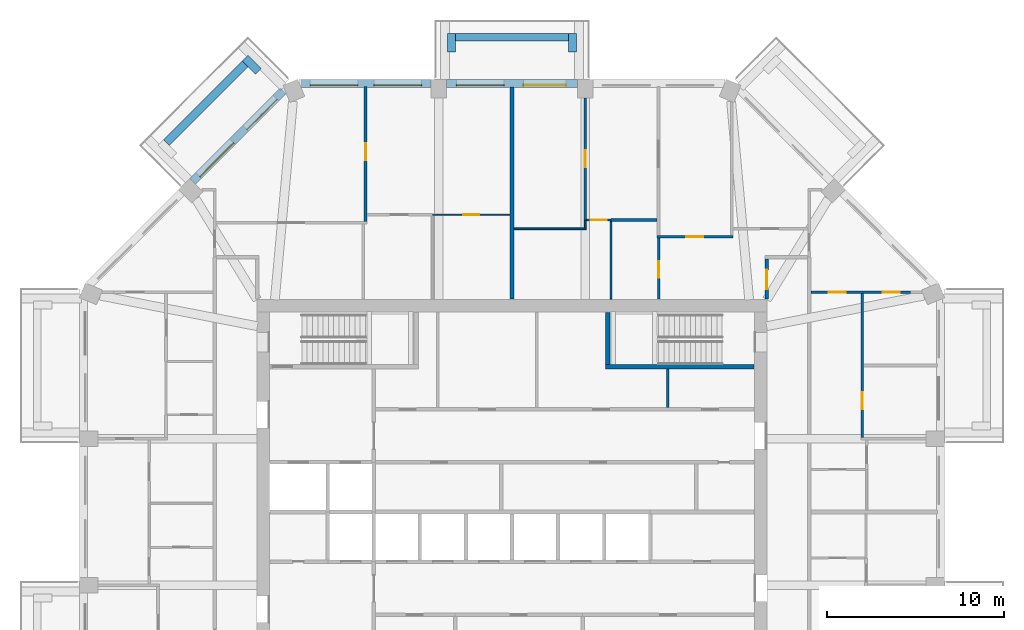
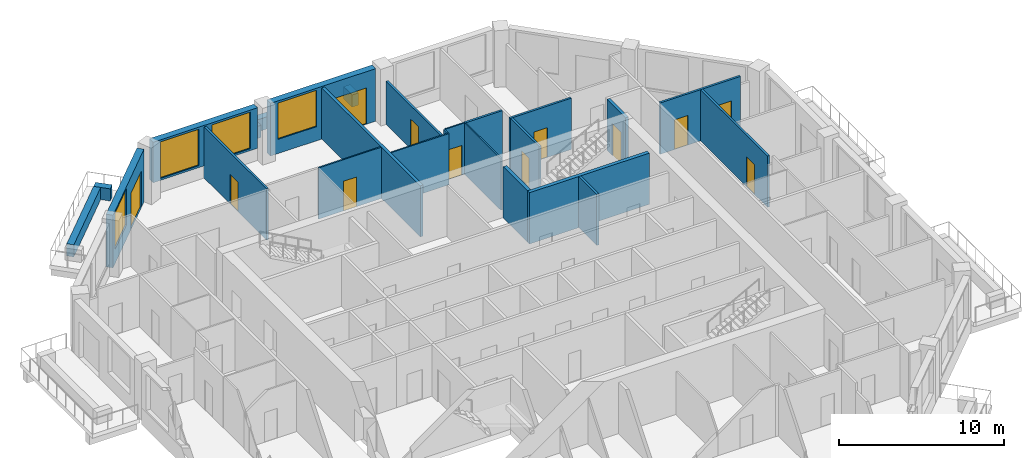
# One storey, part 8 of 12: 25 walls, 12 doors, 4 windows, 16 openings.
"""IFC4 building model written with IfcOpenShell, lengths in metres."""

import ifcopenshell
import ifcopenshell.guid

model = None  # the IFC model being written
_history = None  # IfcOwnerHistory: only IFC2X3 demands one
_inside = {}  # id of a spatial element -> (the spatial element, [elements in it])
_under = {}  # id of a project, library or spatial element -> (it, [spatial elements below it])
_declared = {}  # id of a project -> (the project, [libraries it declares])
_typed = {}  # id of a type object -> (the type object, [elements of that type])
_made_of = {}  # id of a material, layer set ... -> (it, [elements and type objects made of it])


def new_model(schema):
    """Start an empty IFC model of exactly this schema.

    Asked for "IFC4X3", IfcOpenShell would pick the latest addendum, in which some entities
    have other attributes; the version numbers below select the first issue.
    IFC2X3 requires an IfcOwnerHistory on every rooted entity: one is made here for all.
    """
    global model, _history
    if schema == "IFC4X3":
        model = ifcopenshell.file(schema_version=(4, 3, 0, 0))
    else:
        model = ifcopenshell.file(schema=schema)
    _inside.clear()
    _under.clear()
    _declared.clear()
    _typed.clear()
    _made_of.clear()
    _history = None
    if model.schema == "IFC2X3":
        org = make("IfcOrganization", Name="unknown")
        user = make(
            "IfcPersonAndOrganization",
            ThePerson=make("IfcPerson", FamilyName="unknown"),
            TheOrganization=org,
        )
        app = make(
            "IfcApplication",
            ApplicationDeveloper=org,
            Version="unknown",
            ApplicationFullName="unknown",
            ApplicationIdentifier="unknown",
        )
        _history = make(
            "IfcOwnerHistory",
            OwningUser=user,
            OwningApplication=app,
            ChangeAction="ADDED",
            CreationDate=0,
        )
    return model


def make(cls, **values):
    """One entity of the class cls with the attributes given. An attribute that is None is left unset."""
    return model.create_entity(
        cls, **{name: value for name, value in values.items() if value is not None}
    )


def rooted(cls, **values):
    """An entity with a GlobalId (a new one), such as an element, a storey or a relation."""
    return make(cls, GlobalId=ifcopenshell.guid.new(), OwnerHistory=_history, **values)


def si_unit(unit_type, name, prefix=None):
    """IfcSIUnit, for example si_unit("LENGTHUNIT", "METRE", prefix="MILLI")."""
    return make("IfcSIUnit", UnitType=unit_type, Prefix=prefix, Name=name)


def assignment(units):
    """IfcUnitAssignment: the units of a project."""
    return None if units is None else make("IfcUnitAssignment", Units=units)


def point(xyz):
    """IfcCartesianPoint."""
    return None if xyz is None else make("IfcCartesianPoint", Coordinates=xyz)


def direction(xyz):
    """IfcDirection."""
    return None if xyz is None else make("IfcDirection", DirectionRatios=xyz)


def frame(location, z_axis=None, x_axis=None):
    """IfcAxis2Placement3D, a coordinate frame: its origin and axes. An axis left out is left unset."""
    return make(
        "IfcAxis2Placement3D",
        Location=point(location),
        Axis=direction(z_axis),
        RefDirection=direction(x_axis),
    )


def frame_2d(location, x_axis=None):
    """IfcAxis2Placement2D, a coordinate frame in the plane: its origin and x axis."""
    return make(
        "IfcAxis2Placement2D", Location=point(location), RefDirection=direction(x_axis)
    )


def origin():
    """The frame at (0, 0, 0) with its axes left unset."""
    return frame((0.0, 0.0, 0.0))


def place(relative_to, where):
    """IfcLocalPlacement: puts the frame where relative to a parent placement (None: the world)."""
    return make(
        "IfcLocalPlacement", PlacementRelTo=relative_to, RelativePlacement=where
    )


def context(
    kind, dimensions, precision=None, world=None, true_north=None, identifier=None
):
    """IfcGeometricRepresentationContext, for example the 3D "Model" context."""
    return make(
        "IfcGeometricRepresentationContext",
        ContextIdentifier=identifier,
        ContextType=kind,
        CoordinateSpaceDimension=dimensions,
        Precision=precision,
        WorldCoordinateSystem=world,
        TrueNorth=true_north,
    )


def subcontext(parent, identifier, kind, view, scale=None):
    """IfcGeometricRepresentationSubContext, for example "Body" below "Model"."""
    return make(
        "IfcGeometricRepresentationSubContext",
        ContextIdentifier=identifier,
        ContextType=kind,
        ParentContext=parent,
        TargetScale=scale,
        TargetView=view,
    )


def project(units=None, contexts=None):
    """IfcProject with its units and contexts."""
    return rooted(
        "IfcProject",
        Name="project",
        RepresentationContexts=contexts,
        UnitsInContext=assignment(units),
    )


def spatial(cls, under=None, at=None, **own):
    """A site, building, storey or space (cls), placed at a placement, below another one or the project."""
    s = rooted(cls, ObjectPlacement=at, **own)
    if under is not None:
        _under.setdefault(under.id(), (under, []))[1].append(s)
    return s


def profile(cls, at=None, kind="AREA", **sizes):
    """A parametric profile (cls). Its sizes go by their IFC names, for example OverallWidth=200.0."""
    return make(cls, ProfileType=kind, Position=at, **sizes)


def rectangle(**sizes):
    """IfcRectangleProfileDef."""
    return profile("IfcRectangleProfileDef", **sizes)


def extrude(swept, where, along, depth):
    """IfcExtrudedAreaSolid: the profile swept, set in the frame where, extruded along a direction by depth."""
    return make(
        "IfcExtrudedAreaSolid",
        SweptArea=swept,
        Position=where,
        ExtrudedDirection=direction(along),
        Depth=depth,
    )


def shape(context_of_items, identifier, shape_type, items):
    """IfcShapeRepresentation: the items that make up one representation, for example the "Body"."""
    return make(
        "IfcShapeRepresentation",
        ContextOfItems=context_of_items,
        RepresentationIdentifier=identifier,
        RepresentationType=shape_type,
        Items=items,
    )


def material(Name=None, Category=None):
    """IfcMaterial."""
    return make("IfcMaterial", Name=Name, Category=Category)


def layer(
    of_material, thickness, ventilated=None, Name=None, Category=None, Priority=None
):
    """IfcMaterialLayer: one layer of a wall or slab, of a material (None: an air gap)."""
    return make(
        "IfcMaterialLayer",
        Material=of_material,
        LayerThickness=thickness,
        IsVentilated=ventilated,
        Name=Name,
        Category=Category,
        Priority=Priority,
    )


def layer_set(layers, Name=None):
    """IfcMaterialLayerSet."""
    return make("IfcMaterialLayerSet", MaterialLayers=layers, LayerSetName=Name)


def made_of(thing, what):
    """Note that an element or type object is made of a material, layer set ...; save() writes the relation."""
    if what is not None:
        _made_of.setdefault(what.id(), (what, []))[1].append(thing)
    return thing


def type_object(cls, material=None, **own):
    """A type object (cls), such as IfcWallType, which elements share."""
    return made_of(rooted(cls, **own), material)


def element(
    cls,
    number,
    at=None,
    inside=None,
    cuts=None,
    type_object=None,
    material=None,
    context=None,
    identifier="Body",
    shape_type=None,
    held_by="IfcProductDefinitionShape",
    body=None,
    shapes=None,
    **own,
):
    """One element of the class cls, such as IfcWall. Its Tag is "e" and its number.

    at: its placement. inside: the storey or other place that contains it. cuts: it is an
    opening in that element (IfcRelVoidsElement). A single representation is given by context,
    identifier, shape_type and body (its items); several are given by shapes. held_by: the class
    of the entity that holds the representations. save() writes the other relations.
    """
    e = rooted(cls, Tag="e%d" % number, ObjectPlacement=at, **own)
    if body is not None:
        shapes = [shape(context, identifier, shape_type, body)]
    if shapes is not None:
        e.Representation = make(held_by, Representations=shapes)
    if inside is not None:
        _inside.setdefault(inside.id(), (inside, []))[1].append(e)
    if cuts is not None:
        rooted(
            "IfcRelVoidsElement", RelatingBuildingElement=cuts, RelatedOpeningElement=e
        )
    if type_object is not None:
        _typed.setdefault(type_object.id(), (type_object, []))[1].append(e)
    return made_of(e, material)


def fill(opening, filler):
    """IfcRelFillsElement: the door or window that sits in an opening."""
    return rooted(
        "IfcRelFillsElement",
        RelatingOpeningElement=opening,
        RelatedBuildingElement=filler,
    )


def aggregate(whole, parts):
    """IfcRelAggregates: a whole, such as a stair, and the parts it consists of."""
    return rooted("IfcRelAggregates", RelatingObject=whole, RelatedObjects=parts)


def save(model, path):
    """Write the relations noted so far, then the file.

    IfcRelAggregates (storeys below a building ...), IfcRelContainedInSpatialStructure (elements
    in a storey), IfcRelDefinesByType, IfcRelAssociatesMaterial and IfcRelDeclares: one each for
    every whole, place, type object, material and project.
    """
    for whole, parts in _under.values():
        aggregate(whole, parts)
    for where, things in _inside.values():
        rooted(
            "IfcRelContainedInSpatialStructure",
            RelatedElements=things,
            RelatingStructure=where,
        )
    for kind, things in _typed.values():
        rooted("IfcRelDefinesByType", RelatedObjects=things, RelatingType=kind)
    for what, things in _made_of.values():
        rooted("IfcRelAssociatesMaterial", RelatedObjects=things, RelatingMaterial=what)
    for by, libraries in _declared.values():
        rooted("IfcRelDeclares", RelatingContext=by, RelatedDefinitions=libraries)
    model.write(path)


model = new_model("IFC4")

# Units and contexts
model_context = context("Model", 3, precision=1e-05, world=origin(), true_north=direction((0.0, 1.0)))
body_context = subcontext(model_context, "Body", "Model", "MODEL_VIEW")
ifc_project = project(units=[si_unit("LENGTHUNIT", "METRE"), si_unit("AREAUNIT", "SQUARE_METRE"), si_unit("VOLUMEUNIT", "CUBIC_METRE"), si_unit("PLANEANGLEUNIT", "RADIAN"), si_unit("MASSUNIT", "GRAM", prefix="KILO")], contexts=[model_context])

# Site, building, storey
site_placement = place(None, origin())
site = spatial("IfcSite", under=ifc_project, at=site_placement, CompositionType="ELEMENT")
building_placement = place(site_placement, origin())
building = spatial("IfcBuilding", under=site, at=building_placement, Name="Msitu Wima Residences", CompositionType="ELEMENT")
storey_placement = place(building_placement, frame((0.0, 0.0, 204.300048828125)))
storey = spatial("IfcBuildingStorey", under=building, at=storey_placement, Name="L47", CompositionType="ELEMENT", Elevation=204.300048828125)

# Walls
ifc_material_1 = material(Name="Facing brick")
ifc_layer_1 = layer(ifc_material_1, 0.06494140625, Name="Facing brick")
ifc_material_2 = material(Name="Concrete C40/50", Category="concrete")
ifc_layer_2 = layer(ifc_material_2, 0.156005859375, Name="Concrete C40/50")
ifc_material_3 = material(Name="Waterproofing membrane")
ifc_layer_3 = layer(ifc_material_3, 0.00390625, Name="Waterproofing membrane")
ifc_material_4 = material(Name="Planting soil and planting")
ifc_layer_4 = layer(ifc_material_4, 0.22509765625, Name="Planting soil and planting")
ifc_layer_set_1 = layer_set([ifc_layer_1, ifc_layer_2, ifc_layer_3, ifc_layer_4], Name="Concrete C40/50")
wall_type_1 = type_object("IfcWallType", Name="Balcony planter PLANTER PL450", PredefinedType="USERDEFINED", material=ifc_layer_set_1)
wall_1_placement = place(storey_placement, frame((3.187255859375, 26.824951171875, 0.0), z_axis=(0.0, 0.0, 1.0), x_axis=(-1.0, 0.0, 0.0)))
element("IfcWall", 1, at=wall_1_placement, inside=storey, type_object=wall_type_1, Name="Balcony planter N1 L47", ObjectType="PLANTER", PredefinedType="USERDEFINED", context=body_context, shape_type="SweptSolid", body=[
    extrude(rectangle(XDim=6.37451171875, YDim=0.449951171875, at=frame_2d((3.187255859375, 0.0))), origin(), (0.0, 0.0, 1.0), 0.89990234375),
])
for number, where, z_axis, x_axis, name in (
    (2, (3.412353515625, 26.0, 0.0), (0.0, 0.0, 1.0), (0.0, 1.0, 0.0), "Balcony planter N1 L47"),
    (3, (-3.412353515625, 26.0, 0.0), (0.0, 0.0, 1.0), (0.0, 1.0, 0.0), "Balcony planter N1 L47"),
):
    element("IfcWall", number, at=place(storey_placement, frame(where, z_axis=z_axis, x_axis=x_axis)), inside=storey, type_object=wall_type_1, Name=name, ObjectType="PLANTER", PredefinedType="USERDEFINED", context=body_context, shape_type="SweptSolid", body=[
        extrude(rectangle(XDim=1.050048828125, YDim=0.449951171875, at=frame_2d((0.52490234375, 0.0))), origin(), (0.0, 0.0, 1.0), 0.89990234375),
    ])
wall_2_placement = place(storey_placement, frame((-15.0810546875, 25.325927734375, 0.0), z_axis=(0.0, 0.0, 1.0), x_axis=(-0.707106781187, -0.707106781187, 0.0)))
element("IfcWall", 4, at=wall_2_placement, inside=storey, type_object=wall_type_1, Name="Balcony planter NW0 L47", ObjectType="PLANTER", PredefinedType="USERDEFINED", context=body_context, shape_type="SweptSolid", body=[
    extrude(rectangle(XDim=6.294189453125, YDim=0.449951171875, at=frame_2d((3.14697265625, 0.0))), origin(), (0.0, 0.0, 1.0), 0.89990234375),
])
wall_3_placement = place(storey_placement, frame((-14.338623046875, 24.901611328125, 0.0), z_axis=(0.0, 0.0, 1.0), x_axis=(-0.707106781187, 0.707106781187, 0.0)))
element("IfcWall", 5, at=wall_3_placement, inside=storey, type_object=wall_type_1, Name="Balcony planter NW0 L47", ObjectType="PLANTER", PredefinedType="USERDEFINED", context=body_context, shape_type="SweptSolid", body=[
    extrude(rectangle(XDim=1.050048828125, YDim=0.449951171875, at=frame_2d((0.52490234375, 0.0))), origin(), (0.0, 0.0, 1.0), 0.89990234375),
])

# Wall, openings, door, window
ifc_material_5 = material(Name="Brick (red buff mix)", Category="masonry")
ifc_layer_5 = layer(ifc_material_5, 0.449951171875)
ifc_layer_set_2 = layer_set([ifc_layer_5], Name="Brick (red buff mix)")
wall_type_2 = type_object("IfcWallType", Name="Brick infill wall BW450", PredefinedType="SOLIDWALL", material=ifc_layer_set_2)
wall_4_placement = place(storey_placement, frame((3.687255859375, 24.22509765625, 0.0), z_axis=(0.0, 0.0, 1.0), x_axis=(-1.0, 0.0, 0.0)))
wall_4 = element("IfcWall", 6, at=wall_4_placement, inside=storey, type_object=wall_type_2, Name="Brick infill wall L47 N1", PredefinedType="SOLIDWALL", context=body_context, shape_type="SweptSolid", body=[
    extrude(rectangle(XDim=7.37451171875, YDim=0.449951171875, at=frame_2d((3.687255859375, 0.0))), origin(), (0.0, 0.0, 1.0), 3.89990234375),
])
opening_1_placement = place(wall_4_placement, frame((0.6435546875, 0.0, 0.0)))
opening_1 = element("IfcOpeningElement", 7, at=opening_1_placement, cuts=wall_4, Name="Opening D47.003", PredefinedType="OPENING", context=body_context, shape_type="SweptSolid", body=[
    extrude(rectangle(XDim=2.39990234375, YDim=2.699951171875, at=frame_2d((1.199951171875, 1.35009765625))), frame((0.0, 0.23486328125, 0.0), z_axis=(0.0, -1.0, 0.0), x_axis=(1.0, 0.0, 0.0)), (0.0, 0.0, 1.0), 0.469970703125),
])
opening_2_placement = place(wall_4_placement, frame((4.13720703125, 0.0, 1.050048828125)))
opening_2 = element("IfcOpeningElement", 8, at=opening_2_placement, cuts=wall_4, Name="Opening W47.007", PredefinedType="OPENING", context=body_context, shape_type="SweptSolid", body=[
    extrude(rectangle(XDim=2.699951171875, YDim=2.699951171875, at=frame_2d((1.35009765625, 1.35009765625))), frame((0.0, 0.23486328125, 0.0), z_axis=(0.0, -1.0, 0.0), x_axis=(1.0, 0.0, 0.0)), (0.0, 0.0, 1.0), 0.469970703125),
])
ifc_material_6 = material(Name="Anodised aluminium, bronze finish, clear low-emissivity double glazing", Category="aluminium")
door_type_1 = type_object("IfcDoorType", Name="Balcony door D2400x2700", OperationType="SLIDING_TO_LEFT", PredefinedType="DOOR", material=ifc_material_6)
door_1_placement = place(opening_1_placement, origin())
door_1 = element("IfcDoor", 9, at=door_1_placement, inside=storey, type_object=door_type_1, Name="Balcony door L47 N1", OperationType="SINGLE_SWING_LEFT", OverallHeight=2.699951171875, OverallWidth=2.39990234375, PredefinedType="DOOR", context=body_context, shape_type="SweptSolid", body=[
    extrude(rectangle(XDim=2.39990234375, YDim=2.699951171875, at=frame_2d((1.199951171875, 1.35009765625))), frame((0.0, 0.1298828125, 0.0), z_axis=(0.0, -1.0, 0.0), x_axis=(1.0, 0.0, 0.0)), (0.0, 0.0, 1.0), 0.050048828125),
])
fill(opening_1, door_1)
window_type = type_object("IfcWindowType", Name="Window W2700x2700", PartitioningType="DOUBLE_PANEL_VERTICAL", PredefinedType="WINDOW", material=ifc_material_6)
window_1_placement = place(opening_2_placement, origin())
window_1 = element("IfcWindow", 10, at=window_1_placement, inside=storey, type_object=window_type, Name="Window L47 N1.2", OverallHeight=2.699951171875, OverallWidth=2.699951171875, PartitioningType="SINGLE_PANEL", PredefinedType="WINDOW", context=body_context, shape_type="SweptSolid", body=[
    extrude(rectangle(XDim=2.699951171875, YDim=2.699951171875, at=frame_2d((1.35009765625, 1.35009765625))), frame((0.0, 0.135009765625, 0.0), z_axis=(0.0, -1.0, 0.0), x_axis=(1.0, 0.0, 0.0)), (0.0, 0.0, 1.0), 0.06005859375),
])
fill(opening_2, window_1)

# Wall, openings, windows
wall_5_placement = place(storey_placement, frame((-4.587158203125, 24.22509765625, 0.89990234375), z_axis=(0.0, 0.0, 1.0), x_axis=(-1.0, 0.0, 0.0)))
wall_5 = element("IfcWall", 11, at=wall_5_placement, inside=storey, type_object=wall_type_2, Name="Brick infill wall L47 N2", PredefinedType="SOLIDWALL", context=body_context, shape_type="SweptSolid", body=[
    extrude(rectangle(XDim=7.337646484375, YDim=0.449951171875, at=frame_2d((3.6689453125, 0.0))), origin(), (0.0, 0.0, 1.0), 3.0),
])
opening_3_placement = place(wall_5_placement, frame((0.518798828125, 0.0, 0.14990234375)))
opening_3 = element("IfcOpeningElement", 12, at=opening_3_placement, cuts=wall_5, Name="Opening W47.008", PredefinedType="OPENING", context=body_context, shape_type="SweptSolid", body=[
    extrude(rectangle(XDim=2.699951171875, YDim=2.699951171875, at=frame_2d((1.35009765625, 1.35009765625))), frame((0.0, 0.23486328125, 0.0), z_axis=(0.0, -1.0, 0.0), x_axis=(1.0, 0.0, 0.0)), (0.0, 0.0, 1.0), 0.469970703125),
])
opening_4_placement = place(wall_5_placement, frame((4.11865234375, 0.0, 0.14990234375)))
opening_4 = element("IfcOpeningElement", 13, at=opening_4_placement, cuts=wall_5, Name="Opening W47.009", PredefinedType="OPENING", context=body_context, shape_type="SweptSolid", body=[
    extrude(rectangle(XDim=2.699951171875, YDim=2.699951171875, at=frame_2d((1.35009765625, 1.35009765625))), frame((0.0, 0.23486328125, 0.0), z_axis=(0.0, -1.0, 0.0), x_axis=(1.0, 0.0, 0.0)), (0.0, 0.0, 1.0), 0.469970703125),
])
window_2_placement = place(opening_3_placement, origin())
window_2 = element("IfcWindow", 14, at=window_2_placement, inside=storey, type_object=window_type, Name="Window L47 N2.1", OverallHeight=2.699951171875, OverallWidth=2.699951171875, PartitioningType="SINGLE_PANEL", PredefinedType="WINDOW", context=body_context, shape_type="SweptSolid", body=[
    extrude(rectangle(XDim=2.699951171875, YDim=2.699951171875, at=frame_2d((1.35009765625, 1.35009765625))), frame((0.0, 0.135009765625, 0.0), z_axis=(0.0, -1.0, 0.0), x_axis=(1.0, 0.0, 0.0)), (0.0, 0.0, 1.0), 0.06005859375),
])
fill(opening_3, window_2)
window_3_placement = place(opening_4_placement, origin())
window_3 = element("IfcWindow", 15, at=window_3_placement, inside=storey, type_object=window_type, Name="Window L47 N2.2", OverallHeight=2.699951171875, OverallWidth=2.699951171875, PartitioningType="SINGLE_PANEL", PredefinedType="WINDOW", context=body_context, shape_type="SweptSolid", body=[
    extrude(rectangle(XDim=2.699951171875, YDim=2.699951171875, at=frame_2d((1.35009765625, 1.35009765625))), frame((0.0, 0.135009765625, 0.0), z_axis=(0.0, -1.0, 0.0), x_axis=(1.0, 0.0, 0.0)), (0.0, 0.0, 1.0), 0.06005859375),
])
fill(opening_4, window_3)

# Wall, openings, door, window
wall_6_placement = place(storey_placement, frame((-12.915283203125, 23.814697265625, 0.0), z_axis=(0.0, 0.0, 1.0), x_axis=(-0.707106781187, -0.707106781187, 0.0)))
wall_6 = element("IfcWall", 16, at=wall_6_placement, inside=storey, type_object=wall_type_2, Name="Brick infill wall L47 NW0", PredefinedType="SOLIDWALL", context=body_context, shape_type="SweptSolid", body=[
    extrude(rectangle(XDim=7.257080078125, YDim=0.449951171875, at=frame_2d((3.62841796875, 0.0))), origin(), (0.0, 0.0, 1.0), 3.89990234375),
])
opening_5_placement = place(wall_6_placement, frame((0.6142578125, 0.0, 0.0)))
opening_5 = element("IfcOpeningElement", 17, at=opening_5_placement, cuts=wall_6, Name="Opening D47.005", PredefinedType="OPENING", context=body_context, shape_type="SweptSolid", body=[
    extrude(rectangle(XDim=2.39990234375, YDim=2.699951171875, at=frame_2d((1.199951171875, 1.35009765625))), frame((0.0, 0.23486328125, 0.0), z_axis=(0.0, -1.0, 0.0), x_axis=(1.0, 0.0, 0.0)), (0.0, 0.0, 1.0), 0.469970703125),
])
opening_6_placement = place(wall_6_placement, frame((4.07861328125, 0.0, 1.050048828125)))
opening_6 = element("IfcOpeningElement", 18, at=opening_6_placement, cuts=wall_6, Name="Opening W47.013", PredefinedType="OPENING", context=body_context, shape_type="SweptSolid", body=[
    extrude(rectangle(XDim=2.699951171875, YDim=2.699951171875, at=frame_2d((1.35009765625, 1.35009765625))), frame((0.0, 0.23486328125, 0.0), z_axis=(0.0, -1.0, 0.0), x_axis=(1.0, 0.0, 0.0)), (0.0, 0.0, 1.0), 0.469970703125),
])
door_2_placement = place(opening_5_placement, origin())
door_2 = element("IfcDoor", 19, at=door_2_placement, inside=storey, type_object=door_type_1, Name="Balcony door L47 NW0", OperationType="SINGLE_SWING_LEFT", OverallHeight=2.699951171875, OverallWidth=2.39990234375, PredefinedType="DOOR", context=body_context, shape_type="SweptSolid", body=[
    extrude(rectangle(XDim=2.39990234375, YDim=2.699951171875, at=frame_2d((1.199951171875, 1.35009765625))), frame((0.0, 0.1298828125, 0.0), z_axis=(0.0, -1.0, 0.0), x_axis=(1.0, 0.0, 0.0)), (0.0, 0.0, 1.0), 0.050048828125),
])
fill(opening_5, door_2)
window_4_placement = place(opening_6_placement, origin())
window_4 = element("IfcWindow", 20, at=window_4_placement, inside=storey, type_object=window_type, Name="Window L47 NW0.2", OverallHeight=2.699951171875, OverallWidth=2.699951171875, PartitioningType="SINGLE_PANEL", PredefinedType="WINDOW", context=body_context, shape_type="SweptSolid", body=[
    extrude(rectangle(XDim=2.699951171875, YDim=2.699951171875, at=frame_2d((1.35009765625, 1.35009765625))), frame((0.0, 0.135009765625, 0.0), z_axis=(0.0, -1.0, 0.0), x_axis=(1.0, 0.0, 0.0)), (0.0, 0.0, 1.0), 0.06005859375),
])
fill(opening_6, window_4)

# Wall, opening, door
ifc_material_7 = material(Name="Plaster")
ifc_layer_6 = layer(ifc_material_7, 0.011962890625, Name="Plaster")
ifc_material_8 = material(Name="Concrete blockwork", Category="masonry")
ifc_layer_7 = layer(ifc_material_8, 0.176025390625, Name="Concrete blockwork")
ifc_layer_8 = layer(ifc_material_7, 0.011962890625, Name="Plaster")
ifc_layer_set_3 = layer_set([ifc_layer_6, ifc_layer_7, ifc_layer_8], Name="Concrete blockwork")
wall_type_3 = type_object("IfcWallType", Name="Corridor wall FW200", PredefinedType="PARTITIONING", material=ifc_layer_set_3)
wall_7_placement = place(storey_placement, frame((14.39990234375, 12.030029296875, 0.0), z_axis=(0.0, 0.0, 1.0), x_axis=(0.0, 1.0, 0.0)))
wall_7 = element("IfcWall", 21, at=wall_7_placement, inside=storey, type_object=wall_type_3, Name="Corridor wall", PredefinedType="PARTITIONING", context=body_context, shape_type="SweptSolid", body=[
    extrude(rectangle(XDim=2.27001953125, YDim=0.199951171875, at=frame_2d((1.135009765625, 0.0))), origin(), (0.0, 0.0, 1.0), 3.7978515625),
])
opening_7_placement = place(wall_7_placement, frame((0.550048828125, 0.0, 0.0)))
opening_7 = element("IfcOpeningElement", 22, at=opening_7_placement, cuts=wall_7, Name="Opening D47.011", PredefinedType="OPENING", context=body_context, shape_type="SweptSolid", body=[
    extrude(rectangle(XDim=1.10009765625, YDim=2.39990234375, at=frame_2d((0.550048828125, 1.199951171875))), frame((0.0, 0.10986328125, 0.0), z_axis=(0.0, -1.0, 0.0), x_axis=(1.0, 0.0, 0.0)), (0.0, 0.0, 1.0), 0.219970703125),
])
ifc_material_9 = material(Name="Timber flush door, fire resisting, self-closing", Category="wood")
door_type_2 = type_object("IfcDoorType", Name="Flat entrance door D01 1100x2400", OperationType="SINGLE_SWING_LEFT", PredefinedType="DOOR", material=ifc_material_9)
door_3_placement = place(opening_7_placement, origin())
door_3 = element("IfcDoor", 23, at=door_3_placement, inside=storey, type_object=door_type_2, Name="Flat entrance door", OperationType="SINGLE_SWING_LEFT", OverallHeight=2.39990234375, OverallWidth=1.10009765625, PredefinedType="DOOR", context=body_context, shape_type="SweptSolid", body=[
    extrude(rectangle(XDim=1.10009765625, YDim=2.39990234375, at=frame_2d((0.550048828125, 1.199951171875))), frame((0.0, 0.02490234375, 0.0), z_axis=(0.0, -1.0, 0.0), x_axis=(1.0, 0.0, 0.0)), (0.0, 0.0, 1.0), 0.050048828125),
])
fill(opening_7, door_3)

ifc_layer_9 = layer(ifc_material_7, 0.011962890625, Name="Plaster")
ifc_layer_10 = layer(ifc_material_8, 0.1259765625, Name="Concrete blockwork")
ifc_layer_11 = layer(ifc_material_7, 0.011962890625, Name="Plaster")
ifc_layer_set_4 = layer_set([ifc_layer_9, ifc_layer_10, ifc_layer_11], Name="Concrete blockwork")
wall_type_4 = type_object("IfcWallType", Name="Partition PW150", PredefinedType="PARTITIONING", material=ifc_layer_set_4)
wall_8_placement = place(storey_placement, frame((-8.2744140625, 16.425048828125, 0.0), z_axis=(0.0, 0.0, 1.0), x_axis=(0.0, 1.0, 0.0)))
wall_8 = element("IfcWall", 24, at=wall_8_placement, inside=storey, type_object=wall_type_4, Name="Partition", PredefinedType="PARTITIONING", context=body_context, shape_type="SweptSolid", body=[
    extrude(rectangle(XDim=7.6298828125, YDim=0.14990234375, at=frame_2d((3.81494140625, 0.0))), origin(), (0.0, 0.0, 1.0), 3.7978515625),
])
opening_8_placement = place(wall_8_placement, frame((3.449951171875, 0.0, 0.0)))
opening_8 = element("IfcOpeningElement", 25, at=opening_8_placement, cuts=wall_8, Name="Opening D47.032", PredefinedType="OPENING", context=body_context, shape_type="SweptSolid", body=[
    extrude(rectangle(XDim=0.949951171875, YDim=2.199951171875, at=frame_2d((0.47509765625, 1.10009765625))), frame((0.0, 0.0849609375, 0.0), z_axis=(0.0, -1.0, 0.0), x_axis=(1.0, 0.0, 0.0)), (0.0, 0.0, 1.0), 0.169921875),
])
ifc_material_10 = material(Name="Timber flush door", Category="wood")
door_type_3 = type_object("IfcDoorType", Name="Room door D12 950x2200", OperationType="SINGLE_SWING_LEFT", PredefinedType="DOOR", material=ifc_material_10)
door_4_placement = place(opening_8_placement, origin())
door_4 = element("IfcDoor", 26, at=door_4_placement, inside=storey, type_object=door_type_3, Name="Room door", OperationType="SINGLE_SWING_LEFT", OverallHeight=2.199951171875, OverallWidth=0.949951171875, PredefinedType="DOOR", context=body_context, shape_type="SweptSolid", body=[
    extrude(rectangle(XDim=0.949951171875, YDim=2.199951171875, at=frame_2d((0.47509765625, 1.10009765625))), frame((0.0, 0.02490234375, 0.0), z_axis=(0.0, -1.0, 0.0), x_axis=(1.0, 0.0, 0.0)), (0.0, 0.0, 1.0), 0.050048828125),
])
fill(opening_8, door_4)

wall_9_placement = place(storey_placement, frame((4.13720703125, 16.47998046875, 0.0), z_axis=(0.0, 0.0, 1.0), x_axis=(0.0, 1.0, 0.0)))
wall_9 = element("IfcWall", 27, at=wall_9_placement, inside=storey, type_object=wall_type_4, Name="Partition", PredefinedType="PARTITIONING", context=body_context, shape_type="SweptSolid", body=[
    extrude(rectangle(XDim=6.919921875, YDim=0.14990234375, at=frame_2d((3.4599609375, 0.0))), origin(), (0.0, 0.0, 1.0), 3.199951171875),
])
opening_9_placement = place(wall_9_placement, frame((3.0, 0.0, 0.0)))
opening_9 = element("IfcOpeningElement", 28, at=opening_9_placement, cuts=wall_9, Name="Opening D47.014", PredefinedType="OPENING", context=body_context, shape_type="SweptSolid", body=[
    extrude(rectangle(XDim=0.949951171875, YDim=2.199951171875, at=frame_2d((0.47509765625, 1.10009765625))), frame((0.0, 0.0849609375, 0.0), z_axis=(0.0, -1.0, 0.0), x_axis=(1.0, 0.0, 0.0)), (0.0, 0.0, 1.0), 0.169921875),
])
door_5_placement = place(opening_9_placement, origin())
door_5 = element("IfcDoor", 29, at=door_5_placement, inside=storey, type_object=door_type_3, Name="Room door", OperationType="SINGLE_SWING_RIGHT", OverallHeight=2.199951171875, OverallWidth=0.949951171875, PredefinedType="DOOR", context=body_context, shape_type="SweptSolid", body=[
    extrude(rectangle(XDim=0.949951171875, YDim=2.199951171875, at=frame_2d((0.47509765625, 1.10009765625))), frame((0.0, 0.02490234375, 0.0), z_axis=(0.0, -1.0, 0.0), x_axis=(1.0, 0.0, 0.0)), (0.0, 0.0, 1.0), 0.050048828125),
])
fill(opening_9, door_5)

# Wall
wall_10_placement = place(storey_placement, frame((5.60009765625, 16.5, 0.0), z_axis=(0.0, 0.0, 1.0), x_axis=(1.0, 0.0, 0.0)))
element("IfcWall", 30, at=wall_10_placement, inside=storey, type_object=wall_type_4, Name="Partition", PredefinedType="PARTITIONING", context=body_context, shape_type="SweptSolid", body=[
    extrude(rectangle(XDim=2.599365234375, YDim=0.14990234375, at=frame_2d((1.2998046875, 0.0))), origin(), (0.0, 0.0, 1.0), 3.7978515625),
])

# Wall, opening, door
wall_11_placement = place(storey_placement, frame((8.199462890625, 15.550048828125, 0.0), z_axis=(0.0, 0.0, 1.0), x_axis=(1.0, 0.0, 0.0)))
wall_11 = element("IfcWall", 31, at=wall_11_placement, inside=storey, type_object=wall_type_4, Name="Partition", PredefinedType="PARTITIONING", context=body_context, shape_type="SweptSolid", body=[
    extrude(rectangle(XDim=4.287353515625, YDim=0.14990234375, at=frame_2d((2.1435546875, 0.0))), origin(), (0.0, 0.0, 1.0), 3.7978515625),
])
opening_10_placement = place(wall_11_placement, frame((1.64990234375, 0.0, 0.0)))
opening_10 = element("IfcOpeningElement", 32, at=opening_10_placement, cuts=wall_11, Name="Opening D47.016", PredefinedType="OPENING", context=body_context, shape_type="SweptSolid", body=[
    extrude(rectangle(XDim=0.949951171875, YDim=2.199951171875, at=frame_2d((0.47509765625, 1.10009765625))), frame((0.0, 0.0849609375, 0.0), z_axis=(0.0, -1.0, 0.0), x_axis=(1.0, 0.0, 0.0)), (0.0, 0.0, 1.0), 0.169921875),
])
door_6_placement = place(opening_10_placement, origin())
door_6 = element("IfcDoor", 33, at=door_6_placement, inside=storey, type_object=door_type_3, Name="Room door", OperationType="SINGLE_SWING_LEFT", OverallHeight=2.199951171875, OverallWidth=0.949951171875, PredefinedType="DOOR", context=body_context, shape_type="SweptSolid", body=[
    extrude(rectangle(XDim=0.949951171875, YDim=2.199951171875, at=frame_2d((0.47509765625, 1.10009765625))), frame((0.0, 0.02490234375, 0.0), z_axis=(0.0, -1.0, 0.0), x_axis=(1.0, 0.0, 0.0)), (0.0, 0.0, 1.0), 0.050048828125),
])
fill(opening_10, door_6)

wall_12_placement = place(storey_placement, frame((8.300048828125, 12.030029296875, 0.0), z_axis=(0.0, 0.0, 1.0), x_axis=(0.0, 1.0, 0.0)))
wall_12 = element("IfcWall", 34, at=wall_12_placement, inside=storey, type_object=wall_type_4, Name="Partition", PredefinedType="PARTITIONING", context=body_context, shape_type="SweptSolid", body=[
    extrude(rectangle(XDim=3.445068359375, YDim=0.14990234375, at=frame_2d((1.72265625, 0.0))), origin(), (0.0, 0.0, 1.0), 3.7978515625),
])
opening_11_placement = place(wall_12_placement, frame((1.199951171875, 0.0, 0.0)))
opening_11 = element("IfcOpeningElement", 35, at=opening_11_placement, cuts=wall_12, Name="Opening D47.012", PredefinedType="OPENING", context=body_context, shape_type="SweptSolid", body=[
    extrude(rectangle(XDim=0.949951171875, YDim=2.199951171875, at=frame_2d((0.47509765625, 1.10009765625))), frame((0.0, 0.0849609375, 0.0), z_axis=(0.0, -1.0, 0.0), x_axis=(1.0, 0.0, 0.0)), (0.0, 0.0, 1.0), 0.169921875),
])
door_7_placement = place(opening_11_placement, origin())
door_7 = element("IfcDoor", 36, at=door_7_placement, inside=storey, type_object=door_type_3, Name="Room door", OperationType="SINGLE_SWING_LEFT", OverallHeight=2.199951171875, OverallWidth=0.949951171875, PredefinedType="DOOR", context=body_context, shape_type="SweptSolid", body=[
    extrude(rectangle(XDim=0.949951171875, YDim=2.199951171875, at=frame_2d((0.47509765625, 1.10009765625))), frame((0.0, 0.02490234375, 0.0), z_axis=(0.0, -1.0, 0.0), x_axis=(1.0, 0.0, 0.0)), (0.0, 0.0, 1.0), 0.050048828125),
])
fill(opening_11, door_7)

# Wall
wall_13_placement = place(storey_placement, frame((8.800048828125, 5.89990234375, 0.0), z_axis=(0.0, 0.0, 1.0), x_axis=(0.0, 1.0, 0.0)))
element("IfcWall", 37, at=wall_13_placement, inside=storey, type_object=wall_type_4, Name="Partition", PredefinedType="PARTITIONING", context=body_context, shape_type="SweptSolid", body=[
    extrude(rectangle(XDim=2.175048828125, YDim=0.14990234375, at=frame_2d((1.08740234375, 0.0))), origin(), (0.0, 0.0, 1.0), 3.7978515625),
])

# Wall, openings, doors
wall_14_placement = place(storey_placement, frame((16.89990234375, 12.409912109375, 0.0), z_axis=(0.0, 0.0, 1.0), x_axis=(1.0, 0.0, 0.0)))
wall_14 = element("IfcWall", 38, at=wall_14_placement, inside=storey, type_object=wall_type_4, Name="Partition", PredefinedType="PARTITIONING", context=body_context, shape_type="SweptSolid", body=[
    extrude(rectangle(XDim=5.62939453125, YDim=0.14990234375, at=frame_2d((2.814697265625, 0.0))), origin(), (0.0, 0.0, 1.0), 3.7978515625),
])
opening_12_placement = place(wall_14_placement, frame((1.0, 0.0, 0.0)))
opening_12 = element("IfcOpeningElement", 39, at=opening_12_placement, cuts=wall_14, Name="Opening D47.020", PredefinedType="OPENING", context=body_context, shape_type="SweptSolid", body=[
    extrude(rectangle(XDim=0.949951171875, YDim=2.199951171875, at=frame_2d((0.47509765625, 1.10009765625))), frame((0.0, 0.0849609375, 0.0), z_axis=(0.0, -1.0, 0.0), x_axis=(1.0, 0.0, 0.0)), (0.0, 0.0, 1.0), 0.169921875),
])
opening_13_placement = place(wall_14_placement, frame((4.050048828125, 0.0, 0.0)))
opening_13 = element("IfcOpeningElement", 40, at=opening_13_placement, cuts=wall_14, Name="Opening D47.023", PredefinedType="OPENING", context=body_context, shape_type="SweptSolid", body=[
    extrude(rectangle(XDim=0.949951171875, YDim=2.199951171875, at=frame_2d((0.47509765625, 1.10009765625))), frame((0.0, 0.0849609375, 0.0), z_axis=(0.0, -1.0, 0.0), x_axis=(1.0, 0.0, 0.0)), (0.0, 0.0, 1.0), 0.169921875),
])
door_8_placement = place(opening_12_placement, origin())
door_8 = element("IfcDoor", 41, at=door_8_placement, inside=storey, type_object=door_type_3, Name="Room door", OperationType="SINGLE_SWING_LEFT", OverallHeight=2.199951171875, OverallWidth=0.949951171875, PredefinedType="DOOR", context=body_context, shape_type="SweptSolid", body=[
    extrude(rectangle(XDim=0.949951171875, YDim=2.199951171875, at=frame_2d((0.47509765625, 1.10009765625))), frame((0.0, 0.02490234375, 0.0), z_axis=(0.0, -1.0, 0.0), x_axis=(1.0, 0.0, 0.0)), (0.0, 0.0, 1.0), 0.050048828125),
])
fill(opening_12, door_8)
door_9_placement = place(opening_13_placement, origin())
door_9 = element("IfcDoor", 42, at=door_9_placement, inside=storey, type_object=door_type_3, Name="Room door", OperationType="SINGLE_SWING_RIGHT", OverallHeight=2.199951171875, OverallWidth=0.949951171875, PredefinedType="DOOR", context=body_context, shape_type="SweptSolid", body=[
    extrude(rectangle(XDim=0.949951171875, YDim=2.199951171875, at=frame_2d((0.47509765625, 1.10009765625))), frame((0.0, 0.02490234375, 0.0), z_axis=(0.0, -1.0, 0.0), x_axis=(1.0, 0.0, 0.0)), (0.0, 0.0, 1.0), 0.050048828125),
])
fill(opening_13, door_9)

# Wall, opening, door
wall_15_placement = place(storey_placement, frame((19.800048828125, 4.212158203125, 0.0), z_axis=(0.0, 0.0, 1.0), x_axis=(0.0, 1.0, 0.0)))
wall_15 = element("IfcWall", 43, at=wall_15_placement, inside=storey, type_object=wall_type_4, Name="Partition", PredefinedType="PARTITIONING", context=body_context, shape_type="SweptSolid", body=[
    extrude(rectangle(XDim=8.12451171875, YDim=0.14990234375, at=frame_2d((4.062255859375, 0.0))), origin(), (0.0, 0.0, 1.0), 3.7978515625),
])
opening_14_placement = place(wall_15_placement, frame((1.60009765625, 0.0, 0.0)))
opening_14 = element("IfcOpeningElement", 44, at=opening_14_placement, cuts=wall_15, Name="Opening D47.022", PredefinedType="OPENING", context=body_context, shape_type="SweptSolid", body=[
    extrude(rectangle(XDim=0.949951171875, YDim=2.199951171875, at=frame_2d((0.47509765625, 1.10009765625))), frame((0.0, 0.0849609375, 0.0), z_axis=(0.0, -1.0, 0.0), x_axis=(1.0, 0.0, 0.0)), (0.0, 0.0, 1.0), 0.169921875),
])
door_10_placement = place(opening_14_placement, origin())
door_10 = element("IfcDoor", 45, at=door_10_placement, inside=storey, type_object=door_type_3, Name="Room door", OperationType="SINGLE_SWING_LEFT", OverallHeight=2.199951171875, OverallWidth=0.949951171875, PredefinedType="DOOR", context=body_context, shape_type="SweptSolid", body=[
    extrude(rectangle(XDim=0.949951171875, YDim=2.199951171875, at=frame_2d((0.47509765625, 1.10009765625))), frame((0.0, 0.02490234375, 0.0), z_axis=(0.0, -1.0, 0.0), x_axis=(1.0, 0.0, 0.0)), (0.0, 0.0, 1.0), 0.050048828125),
])
fill(opening_14, door_10)

# Walls
ifc_layer_12 = layer(ifc_material_7, 0.011962890625, Name="Plaster")
ifc_material_11 = material(Name="Dense concrete blockwork", Category="masonry")
ifc_layer_13 = layer(ifc_material_11, 0.176025390625, Name="Dense concrete blockwork")
ifc_layer_14 = layer(ifc_material_7, 0.011962890625, Name="Plaster")
ifc_layer_set_5 = layer_set([ifc_layer_12, ifc_layer_13, ifc_layer_14], Name="Dense concrete blockwork")
wall_type_5 = type_object("IfcWallType", Name="Party wall PW200", PredefinedType="PARTITIONING", material=ifc_layer_set_5)
wall_16_placement = place(storey_placement, frame((0.0, 12.030029296875, 0.0), z_axis=(0.0, 0.0, 1.0), x_axis=(0.0, 1.0, 0.0)))
element("IfcWall", 46, at=wall_16_placement, inside=storey, type_object=wall_type_5, Name="Party wall", PredefinedType="PARTITIONING", context=body_context, shape_type="SweptSolid", body=[
    extrude(rectangle(XDim=11.994873046875, YDim=0.199951171875, at=frame_2d((5.99755859375, 0.0))), origin(), (0.0, 0.0, 1.0), 3.7978515625),
])
ifc_material_12 = material(Name="Concrete C50/60", Category="concrete")
ifc_layer_15 = layer(ifc_material_12, 0.25)
ifc_layer_set_6 = layer_set([ifc_layer_15], Name="Concrete C50/60")
wall_type_6 = type_object("IfcWallType", Name="Stair enclosure wall SW250", PredefinedType="SHEAR", material=ifc_layer_set_6)
wall_17_placement = place(storey_placement, frame((5.39990234375, 8.324951171875, 0.0), z_axis=(0.0, 0.0, 1.0), x_axis=(0.0, 1.0, 0.0)))
element("IfcWall", 47, at=wall_17_placement, inside=storey, type_object=wall_type_6, Name="Stair enclosure wall", PredefinedType="SHEAR", context=body_context, shape_type="SweptSolid", body=[
    extrude(rectangle(XDim=2.945068359375, YDim=0.25, at=frame_2d((1.47265625, 0.0))), origin(), (0.0, 0.0, 1.0), 3.7978515625),
])
wall_18_placement = place(storey_placement, frame((5.27490234375, 8.199951171875, 0.0), z_axis=(0.0, 0.0, 1.0), x_axis=(1.0, 0.0, 0.0)))
element("IfcWall", 48, at=wall_18_placement, inside=storey, type_object=wall_type_6, Name="Stair enclosure wall", PredefinedType="SHEAR", context=body_context, shape_type="SweptSolid", body=[
    extrude(rectangle(XDim=8.39501953125, YDim=0.25, at=frame_2d((4.197509765625, 0.0))), origin(), (0.0, 0.0, 1.0), 3.7978515625),
])

# Wall, opening, door
ifc_material_13 = material(Name="Ceramic tiles")
ifc_layer_16 = layer(ifc_material_13, 0.008056640625, Name="Ceramic tiles")
ifc_material_14 = material(Name="Moisture-resistant board")
ifc_layer_17 = layer(ifc_material_14, 0.012451171875, Name="Moisture-resistant board")
ifc_material_15 = material(Name="Light-gauge stud framing with mineral wool")
ifc_layer_18 = layer(ifc_material_15, 0.06689453125, Name="Light-gauge stud framing with mineral wool")
ifc_layer_19 = layer(ifc_material_14, 0.012451171875, Name="Moisture-resistant board")
ifc_layer_set_7 = layer_set([ifc_layer_16, ifc_layer_17, ifc_layer_18, ifc_layer_19], Name="Light-gauge stud framing with mineral wool")
wall_type_7 = type_object("IfcWallType", Name="Wet wall PW100", PredefinedType="PARTITIONING", material=ifc_layer_set_7)
wall_19_placement = place(storey_placement, frame((-4.5, 16.800048828125, 0.0), z_axis=(0.0, 0.0, 1.0), x_axis=(1.0, 0.0, 0.0)))
wall_19 = element("IfcWall", 49, at=wall_19_placement, inside=storey, type_object=wall_type_7, Name="Wet wall", PredefinedType="PARTITIONING", context=body_context, shape_type="SweptSolid", body=[
    extrude(rectangle(XDim=4.39990234375, YDim=0.10009765625, at=frame_2d((2.199951171875, 0.0))), origin(), (0.0, 0.0, 1.0), 3.7978515625),
])
opening_15_placement = place(wall_19_placement, frame((1.75, 0.0, 0.0)))
opening_15 = element("IfcOpeningElement", 50, at=opening_15_placement, cuts=wall_19, Name="Opening D47.034", PredefinedType="OPENING", context=body_context, shape_type="SweptSolid", body=[
    extrude(rectangle(XDim=0.89990234375, YDim=2.199951171875, at=frame_2d((0.449951171875, 1.10009765625))), frame((0.0, 0.06005859375, 0.0), z_axis=(0.0, -1.0, 0.0), x_axis=(1.0, 0.0, 0.0)), (0.0, 0.0, 1.0), 0.1201171875),
])
ifc_material_16 = material(Name="Timber flush door, moisture resistant", Category="wood")
door_type_4 = type_object("IfcDoorType", Name="Bathroom door D03 900x2200", OperationType="SINGLE_SWING_LEFT", PredefinedType="DOOR", material=ifc_material_16)
door_11_placement = place(opening_15_placement, origin())
door_11 = element("IfcDoor", 51, at=door_11_placement, inside=storey, type_object=door_type_4, Name="Bathroom door", OperationType="SINGLE_SWING_RIGHT", OverallHeight=2.199951171875, OverallWidth=0.89990234375, PredefinedType="DOOR", context=body_context, shape_type="SweptSolid", body=[
    extrude(rectangle(XDim=0.89990234375, YDim=2.199951171875, at=frame_2d((0.449951171875, 1.10009765625))), frame((0.0, 0.02490234375, 0.0), z_axis=(0.0, -1.0, 0.0), x_axis=(1.0, 0.0, 0.0)), (0.0, 0.0, 1.0), 0.050048828125),
])
fill(opening_15, door_11)

# Walls
wall_20_placement = place(storey_placement, frame((0.10009765625, 16.0, 0.0), z_axis=(0.0, 0.0, 1.0), x_axis=(1.0, 0.0, 0.0)))
element("IfcWall", 52, at=wall_20_placement, inside=storey, type_object=wall_type_7, Name="Wet wall", PredefinedType="PARTITIONING", context=body_context, shape_type="SweptSolid", body=[
    extrude(rectangle(XDim=4.087158203125, YDim=0.10009765625, at=frame_2d((2.04345703125, 0.0))), origin(), (0.0, 0.0, 1.0), 3.7978515625),
])
wall_21_placement = place(storey_placement, frame((4.13720703125, 16.050048828125, 0.0), z_axis=(0.0, 0.0, 1.0), x_axis=(0.0, 1.0, 0.0)))
element("IfcWall", 53, at=wall_21_placement, inside=storey, type_object=wall_type_7, Name="Wet wall", PredefinedType="PARTITIONING", context=body_context, shape_type="SweptSolid", body=[
    extrude(rectangle(XDim=0.429931640625, YDim=0.10009765625, at=frame_2d((0.21484375, 0.0))), origin(), (0.0, 0.0, 1.0), 3.7978515625),
])

# Wall, opening, door
wall_22_placement = place(storey_placement, frame((4.212158203125, 16.5, 0.0), z_axis=(0.0, 0.0, 1.0), x_axis=(1.0, 0.0, 0.0)))
wall_22 = element("IfcWall", 54, at=wall_22_placement, inside=storey, type_object=wall_type_7, Name="Wet wall", PredefinedType="PARTITIONING", context=body_context, shape_type="SweptSolid", body=[
    extrude(rectangle(XDim=1.387939453125, YDim=0.10009765625, at=frame_2d((0.69384765625, 0.0))), origin(), (0.0, 0.0, 1.0), 3.7978515625),
])
opening_16_placement = place(wall_22_placement, frame((0.25, 0.0, 0.0)))
opening_16 = element("IfcOpeningElement", 55, at=opening_16_placement, cuts=wall_22, Name="Opening D47.013", PredefinedType="OPENING", context=body_context, shape_type="SweptSolid", body=[
    extrude(rectangle(XDim=0.89990234375, YDim=2.199951171875, at=frame_2d((0.449951171875, 1.10009765625))), frame((0.0, 0.06005859375, 0.0), z_axis=(0.0, -1.0, 0.0), x_axis=(1.0, 0.0, 0.0)), (0.0, 0.0, 1.0), 0.1201171875),
])
door_12_placement = place(opening_16_placement, origin())
door_12 = element("IfcDoor", 56, at=door_12_placement, inside=storey, type_object=door_type_4, Name="Bathroom door", OperationType="SINGLE_SWING_LEFT", OverallHeight=2.199951171875, OverallWidth=0.89990234375, PredefinedType="DOOR", context=body_context, shape_type="SweptSolid", body=[
    extrude(rectangle(XDim=0.89990234375, YDim=2.199951171875, at=frame_2d((0.449951171875, 1.10009765625))), frame((0.0, 0.02490234375, 0.0), z_axis=(0.0, -1.0, 0.0), x_axis=(1.0, 0.0, 0.0)), (0.0, 0.0, 1.0), 0.050048828125),
])
fill(opening_16, door_12)

# Wall
wall_23_placement = place(storey_placement, frame((5.60009765625, 12.030029296875, 0.0), z_axis=(0.0, 0.0, 1.0), x_axis=(0.0, 1.0, 0.0)))
element("IfcWall", 57, at=wall_23_placement, inside=storey, type_object=wall_type_7, Name="Wet wall", PredefinedType="PARTITIONING", context=body_context, shape_type="SweptSolid", body=[
    extrude(rectangle(XDim=4.39501953125, YDim=0.10009765625, at=frame_2d((2.197509765625, 0.0))), origin(), (0.0, 0.0, 1.0), 3.7978515625),
])

save(model, "model.ifc")
